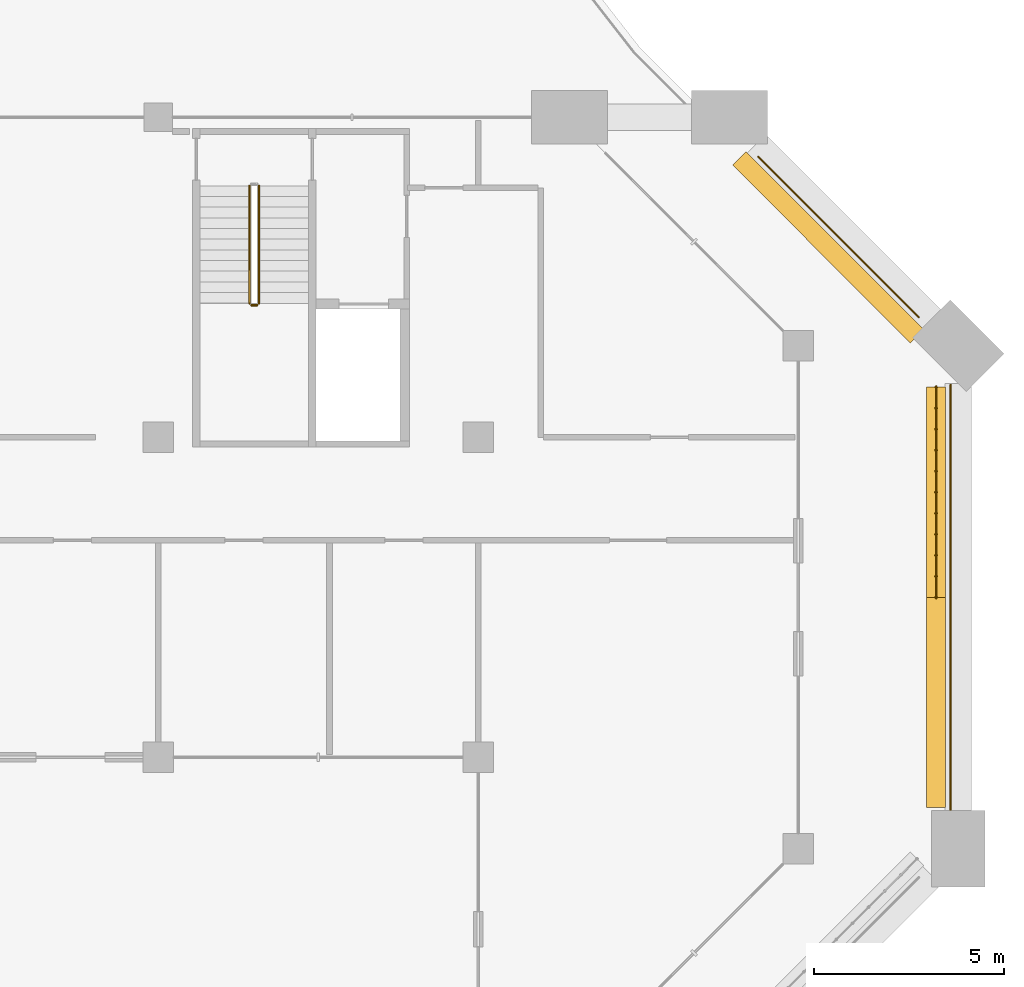
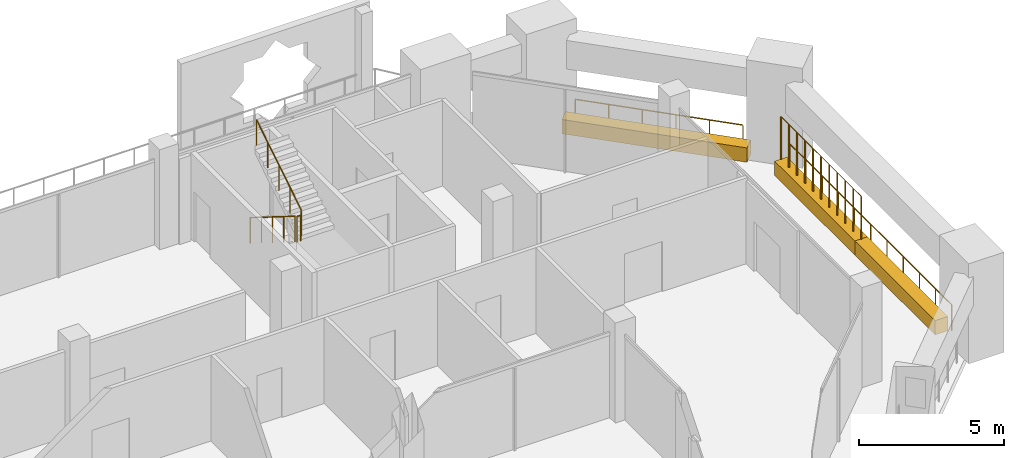
# One storey, part 19 of 20: 6 railings, 3 coverings.
"""IFC4 building model written with IfcOpenShell, lengths in metres."""

from ifc_helpers import new_model, si_unit, direction, frame, origin, origin_2d, place, context, subcontext, project, spatial, rectangle, circle, extrude, material, material_profile, profile_set, type_object, element, save


model = new_model("IFC4")

# Units and contexts
model_context = context("Model", 3, precision=1e-05, world=origin(), true_north=direction((0.0, 1.0)))
body_context = subcontext(model_context, "Body", "Model", "MODEL_VIEW")
ifc_project = project(units=[si_unit("LENGTHUNIT", "METRE"), si_unit("AREAUNIT", "SQUARE_METRE"), si_unit("VOLUMEUNIT", "CUBIC_METRE"), si_unit("PLANEANGLEUNIT", "RADIAN"), si_unit("MASSUNIT", "GRAM", prefix="KILO")], contexts=[model_context])

# Site, building, storey
site_placement = place(None, origin())
site = spatial("IfcSite", under=ifc_project, at=site_placement, CompositionType="ELEMENT")
building_placement = place(site_placement, origin())
building = spatial("IfcBuilding", under=site, at=building_placement, Name="Kawkab Arch Medical Tower", CompositionType="ELEMENT")
storey_placement = place(building_placement, frame((0.0, 0.0, 277.60009765625)))
storey = spatial("IfcBuildingStorey", under=building, at=storey_placement, Name="L64", CompositionType="ELEMENT", Elevation=277.60009765625)

# Railings
ifc_material_1 = material(Name="Bronze anodised aluminium guard", Category="aluminium")
railing_type_1 = type_object("IfcRailingType", Name="Loggia and terrace guard 1100", PredefinedType="GUARDRAIL", material=ifc_material_1)
railing_1_placement = place(storey_placement, frame((62.800048828125, -18.169921875, 0.0)))
element("IfcRailing", 1, at=railing_1_placement, inside=storey, type_object=railing_type_1, Name="Guard L64.TER-02.1.2", PredefinedType="GUARDRAIL", context=body_context, shape_type="SweptSolid", body=[
    extrude(circle(Radius=0.02392578125, at=origin_2d()), frame((0.0, 0.0, 1.076171875), z_axis=(0.0, 1.0, 0.0), x_axis=(-1.0, 0.0, 0.0)), (0.0, 0.0, 1.0), 11.139892578125),
    extrude(circle(Radius=0.02099609375, at=origin_2d()), origin(), (0.0, 0.0, 1.0), 1.052001953125),
    extrude(circle(Radius=0.02099609375, at=origin_2d()), frame((0.0, 1.114013671875, 0.0)), (0.0, 0.0, 1.0), 1.052001953125),
    extrude(circle(Radius=0.02099609375, at=origin_2d()), frame((0.0, 2.22802734375, 0.0)), (0.0, 0.0, 1.0), 1.052001953125),
    extrude(circle(Radius=0.02099609375, at=origin_2d()), frame((0.0, 3.342041015625, 0.0)), (0.0, 0.0, 1.0), 1.052001953125),
    extrude(circle(Radius=0.02099609375, at=origin_2d()), frame((0.0, 4.4560546875, 0.0)), (0.0, 0.0, 1.0), 1.052001953125),
    extrude(circle(Radius=0.02099609375, at=origin_2d()), frame((0.0, 5.56982421875, 0.0)), (0.0, 0.0, 1.0), 1.052001953125),
    extrude(circle(Radius=0.02099609375, at=origin_2d()), frame((0.0, 6.683837890625, 0.0)), (0.0, 0.0, 1.0), 1.052001953125),
    extrude(circle(Radius=0.02099609375, at=origin_2d()), frame((0.0, 7.7978515625, 0.0)), (0.0, 0.0, 1.0), 1.052001953125),
    extrude(circle(Radius=0.02099609375, at=origin_2d()), frame((0.0, 8.911865234375, 0.0)), (0.0, 0.0, 1.0), 1.052001953125),
    extrude(circle(Radius=0.02099609375, at=origin_2d()), frame((0.0, 10.02587890625, 0.0)), (0.0, 0.0, 1.0), 1.052001953125),
    extrude(circle(Radius=0.02099609375, at=origin_2d()), frame((0.0, 11.139892578125, 0.0)), (0.0, 0.0, 1.0), 1.052001953125),
])
railing_2_placement = place(storey_placement, frame((61.969970703125, -5.2529296875, 0.0)))
element("IfcRailing", 2, at=railing_2_placement, inside=storey, type_object=railing_type_1, Name="Guard L64.TER-02.1.3", PredefinedType="GUARDRAIL", context=body_context, shape_type="SweptSolid", body=[
    extrude(circle(Radius=0.02392578125, at=origin_2d()), frame((0.0, 0.0, 1.076171875), z_axis=(-0.707106781187, 0.707106781187, 0.0), x_axis=(-0.707106781187, -0.707106781187, 0.0)), (0.0, 0.0, 1.0), 5.97216796875),
    extrude(circle(Radius=0.02099609375, at=origin_2d()), origin(), (0.0, 0.0, 1.0), 1.052001953125),
    extrude(circle(Radius=0.02099609375, at=origin_2d()), frame((-0.844482421875, 0.844482421875, 0.0)), (0.0, 0.0, 1.0), 1.052001953125),
    extrude(circle(Radius=0.02099609375, at=origin_2d()), frame((-1.689208984375, 1.689208984375, 0.0)), (0.0, 0.0, 1.0), 1.052001953125),
    extrude(circle(Radius=0.02099609375, at=origin_2d()), frame((-2.53369140625, 2.53369140625, 0.0)), (0.0, 0.0, 1.0), 1.052001953125),
    extrude(circle(Radius=0.02099609375, at=origin_2d()), frame((-3.37841796875, 3.37841796875, 0.0)), (0.0, 0.0, 1.0), 1.052001953125),
    extrude(circle(Radius=0.02099609375, at=origin_2d()), frame((-4.222900390625, 4.222900390625, 0.0)), (0.0, 0.0, 1.0), 1.052001953125),
])

# Coverings
ifc_material_2 = material(Name="Planting soil in a precast trough", Category="concrete")
ifc_material_profile = material_profile(ifc_material_2, rectangle(XDim=0.5, YDim=0.60009765625, at=origin_2d()), Name="Trough 500x600")
ifc_profile_set = profile_set([ifc_material_profile], Name="Planting soil in a precast trough")
covering_type = type_object("IfcCoveringType", Name="Planter trough 500 x 600", PredefinedType="USERDEFINED", material=ifc_profile_set)
covering_1_placement = place(storey_placement, frame((62.419921875, -18.1201171875, 0.2998046875), z_axis=(0.0, 1.0, 0.0), x_axis=(-1.0, 0.0, 0.0)))
element("IfcCovering", 3, at=covering_1_placement, inside=storey, type_object=covering_type, Name="Planter L64.TER-02-01.2", ObjectType="PLANTER", PredefinedType="USERDEFINED", context=body_context, shape_type="SweptSolid", body=[
    extrude(rectangle(XDim=0.5, YDim=0.60009765625, at=origin_2d()), origin(), (0.0, 0.0, 1.0), 5.51806640625),
])
covering_2_placement = place(storey_placement, frame((62.419921875, -12.60205078125, 0.2998046875), z_axis=(0.0, 1.0, 0.0), x_axis=(-1.0, 0.0, 0.0)))
element("IfcCovering", 4, at=covering_2_placement, inside=storey, type_object=covering_type, Name="Planter L64.TER-02-01.3", ObjectType="PLANTER", PredefinedType="USERDEFINED", context=body_context, shape_type="SweptSolid", body=[
    extrude(rectangle(XDim=0.5, YDim=0.60009765625, at=origin_2d()), origin(), (0.0, 0.0, 1.0), 5.52197265625),
])
covering_3_placement = place(storey_placement, frame((61.919921875, -5.743896484375, 0.2998046875), z_axis=(-0.706884583618, 0.707328908955, 0.0), x_axis=(-0.707328908955, -0.706884583618, 0.0)))
element("IfcCovering", 5, at=covering_3_placement, inside=storey, type_object=covering_type, Name="Planter L64.TER-02-01.4", ObjectType="PLANTER", PredefinedType="USERDEFINED", context=body_context, shape_type="SweptSolid", body=[
    extrude(rectangle(XDim=0.5, YDim=0.60009765625, at=origin_2d()), origin(), (0.0, 0.0, 1.0), 6.593505859375),
])

# Railings
ifc_material_3 = material(Name="Bronze anodised aluminium trellis for climbing plants", Category="aluminium")
railing_type_2 = type_object("IfcRailingType", Name="Planting trellis 2400", PredefinedType="USERDEFINED", material=ifc_material_3)
railing_3_placement = place(storey_placement, frame((62.419921875, -12.60205078125, 0.0)))
element("IfcRailing", 6, at=railing_3_placement, inside=storey, type_object=railing_type_2, Name="Planting trellis L64.TER-02-01.3", ObjectType="TRELLIS", PredefinedType="USERDEFINED", context=body_context, shape_type="SweptSolid", body=[
    extrude(circle(Radius=0.01513671875, at=origin_2d()), frame((0.0, 0.0, 2.384765625), z_axis=(0.0, 1.0, 0.0), x_axis=(-1.0, 0.0, 0.0)), (0.0, 0.0, 1.0), 5.52197265625),
    extrude(circle(Radius=0.030029296875, at=origin_2d()), origin(), (0.0, 0.0, 1.0), 2.369873046875),
    extrude(circle(Radius=0.030029296875, at=origin_2d()), frame((0.0, 0.55224609375, 0.0)), (0.0, 0.0, 1.0), 2.369873046875),
    extrude(circle(Radius=0.030029296875, at=origin_2d()), frame((0.0, 1.1044921875, 0.0)), (0.0, 0.0, 1.0), 2.369873046875),
    extrude(circle(Radius=0.030029296875, at=origin_2d()), frame((0.0, 1.656494140625, 0.0)), (0.0, 0.0, 1.0), 2.369873046875),
    extrude(circle(Radius=0.030029296875, at=origin_2d()), frame((0.0, 2.208740234375, 0.0)), (0.0, 0.0, 1.0), 2.369873046875),
    extrude(circle(Radius=0.030029296875, at=origin_2d()), frame((0.0, 2.760986328125, 0.0)), (0.0, 0.0, 1.0), 2.369873046875),
    extrude(circle(Radius=0.030029296875, at=origin_2d()), frame((0.0, 3.313232421875, 0.0)), (0.0, 0.0, 1.0), 2.369873046875),
    extrude(circle(Radius=0.030029296875, at=origin_2d()), frame((0.0, 3.865478515625, 0.0)), (0.0, 0.0, 1.0), 2.369873046875),
    extrude(circle(Radius=0.030029296875, at=origin_2d()), frame((0.0, 4.41748046875, 0.0)), (0.0, 0.0, 1.0), 2.369873046875),
    extrude(circle(Radius=0.030029296875, at=origin_2d()), frame((0.0, 4.9697265625, 0.0)), (0.0, 0.0, 1.0), 2.369873046875),
    extrude(circle(Radius=0.030029296875, at=origin_2d()), frame((0.0, 5.52197265625, 0.0)), (0.0, 0.0, 1.0), 2.369873046875),
])
ifc_material_4 = material(Name="Stainless steel", Category="steel")
railing_type_3 = type_object("IfcRailingType", Name="Stair guard 1100", PredefinedType="GUARDRAIL", material=ifc_material_4)
railing_4_placement = place(storey_placement, frame((44.39990234375, -1.800048828125, 0.1748046875)))
element("IfcRailing", 7, at=railing_4_placement, inside=storey, type_object=railing_type_3, Name="L64 ST5 stair guard 1", PredefinedType="GUARDRAIL", context=body_context, shape_type="SweptSolid", body=[
    extrude(circle(Radius=0.02392578125, at=origin_2d()), frame((0.0, 0.0, 1.076171875), z_axis=(0.0, -0.847979421464, 0.530029150871), x_axis=(1.0, 0.0, 0.0)), (0.0, 0.0, 1.0), 3.632080078125),
    extrude(circle(Radius=0.02099609375, at=origin_2d()), origin(), (0.0, 0.0, 1.0), 1.052001953125),
    extrude(circle(Radius=0.02099609375, at=origin_2d()), frame((0.0, -0.77001953125, 0.481201171875)), (0.0, 0.0, 1.0), 1.052001953125),
    extrude(circle(Radius=0.02099609375, at=origin_2d()), frame((0.0, -1.5400390625, 0.96240234375)), (0.0, 0.0, 1.0), 1.052001953125),
    extrude(circle(Radius=0.02099609375, at=origin_2d()), frame((0.0, -2.309814453125, 1.44384765625)), (0.0, 0.0, 1.0), 1.052001953125),
    extrude(circle(Radius=0.02099609375, at=origin_2d()), frame((0.0, -3.079833984375, 1.925048828125)), (0.0, 0.0, 1.0), 1.052001953125),
])
railing_5_placement = place(storey_placement, frame((44.449951171875, -4.929931640625, 2.099853515625)))
element("IfcRailing", 8, at=railing_5_placement, inside=storey, type_object=railing_type_3, Name="L64 ST5 stair guard 2", PredefinedType="GUARDRAIL", context=body_context, shape_type="SweptSolid", body=[
    extrude(circle(Radius=0.02392578125, at=origin_2d()), frame((0.0, 0.0, 1.076171875), z_axis=(1.0, 0.0, 0.0), x_axis=(0.0, 1.0, 0.0)), (0.0, 0.0, 1.0), 0.150146484375),
    extrude(circle(Radius=0.02099609375, at=origin_2d()), origin(), (0.0, 0.0, 1.0), 1.052001953125),
    extrude(circle(Radius=0.02099609375, at=origin_2d()), frame((0.150146484375, 0.0, 0.0)), (0.0, 0.0, 1.0), 1.052001953125),
])
railing_6_placement = place(storey_placement, frame((44.64990234375, -4.8798828125, 2.27490234375)))
element("IfcRailing", 9, at=railing_6_placement, inside=storey, type_object=railing_type_3, Name="L64 ST5 stair guard 3", PredefinedType="GUARDRAIL", context=body_context, shape_type="SweptSolid", body=[
    extrude(circle(Radius=0.02392578125, at=origin_2d()), frame((0.0, 0.0, 1.076171875), z_axis=(0.0, 0.847979421464, 0.530029150871), x_axis=(-1.0, 0.0, 0.0)), (0.0, 0.0, 1.0), 3.632080078125),
    extrude(circle(Radius=0.02099609375, at=origin_2d()), origin(), (0.0, 0.0, 1.0), 1.052001953125),
    extrude(circle(Radius=0.02099609375, at=origin_2d()), frame((0.0, 0.77001953125, 0.481201171875)), (0.0, 0.0, 1.0), 1.052001953125),
    extrude(circle(Radius=0.02099609375, at=origin_2d()), frame((0.0, 1.5400390625, 0.96240234375)), (0.0, 0.0, 1.0), 1.052001953125),
    extrude(circle(Radius=0.02099609375, at=origin_2d()), frame((0.0, 2.309814453125, 1.44384765625)), (0.0, 0.0, 1.0), 1.052001953125),
    extrude(circle(Radius=0.02099609375, at=origin_2d()), frame((0.0, 3.079833984375, 1.925048828125)), (0.0, 0.0, 1.0), 1.052001953125),
])

save(model, "model.ifc")
